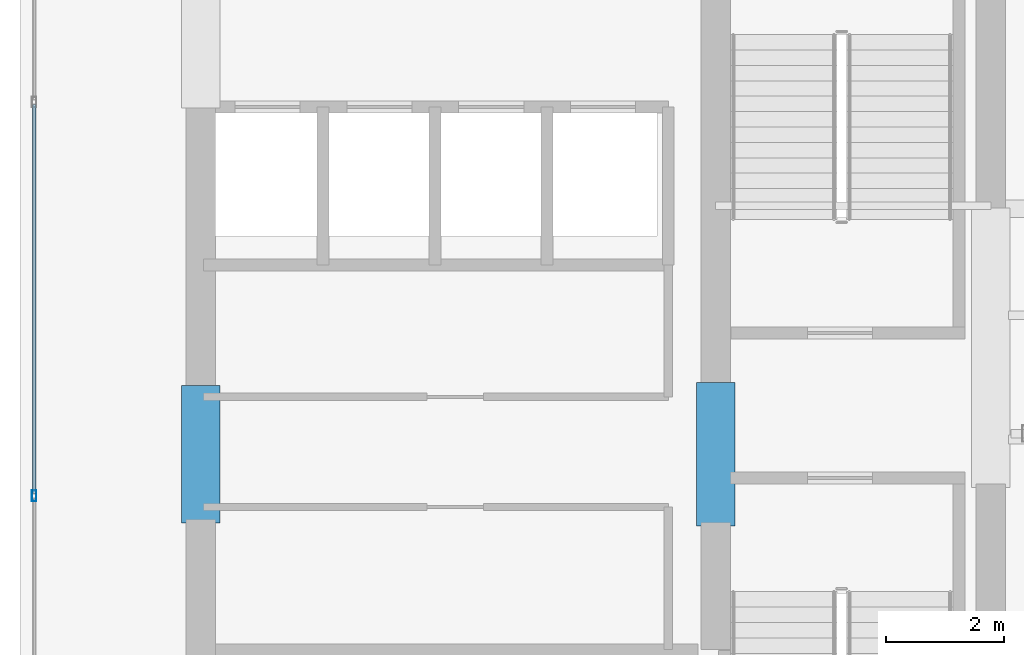
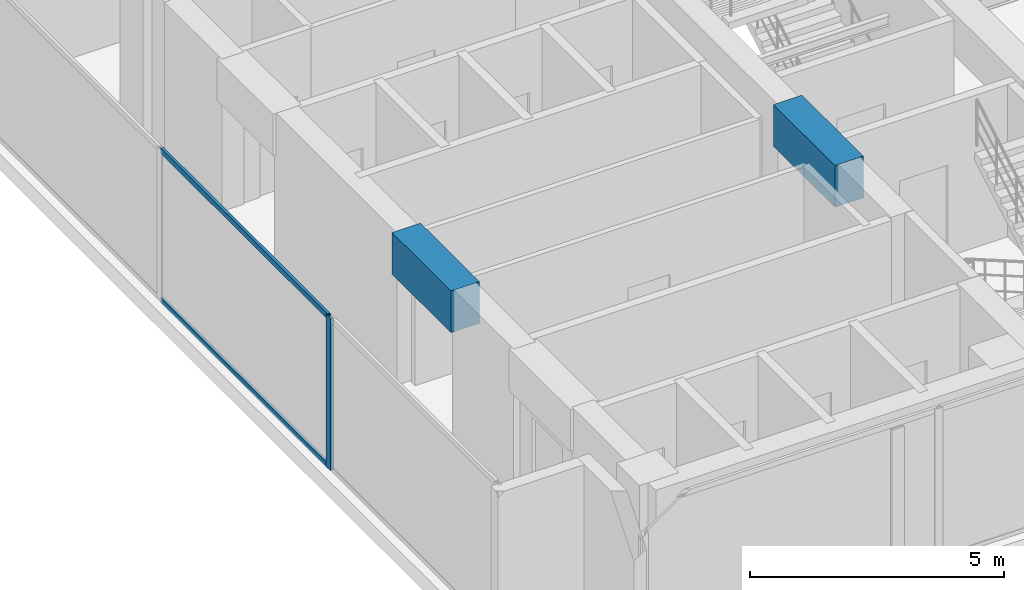
# One storey, part 4 of 31: 3 members, 2 beams, 1 element without a shape of its own.
"""IFC4 building model written with IfcOpenShell, lengths in metres."""

import ifcopenshell
import ifcopenshell.guid

model = None  # the IFC model being written
_history = None  # IfcOwnerHistory: only IFC2X3 demands one
_inside = {}  # id of a spatial element -> (the spatial element, [elements in it])
_under = {}  # id of a project, library or spatial element -> (it, [spatial elements below it])
_declared = {}  # id of a project -> (the project, [libraries it declares])
_typed = {}  # id of a type object -> (the type object, [elements of that type])
_made_of = {}  # id of a material, layer set ... -> (it, [elements and type objects made of it])


def new_model(schema):
    """Start an empty IFC model of exactly this schema.

    Asked for "IFC4X3", IfcOpenShell would pick the latest addendum, in which some entities
    have other attributes; the version numbers below select the first issue.
    IFC2X3 requires an IfcOwnerHistory on every rooted entity: one is made here for all.
    """
    global model, _history
    if schema == "IFC4X3":
        model = ifcopenshell.file(schema_version=(4, 3, 0, 0))
    else:
        model = ifcopenshell.file(schema=schema)
    _inside.clear()
    _under.clear()
    _declared.clear()
    _typed.clear()
    _made_of.clear()
    _history = None
    if model.schema == "IFC2X3":
        org = make("IfcOrganization", Name="unknown")
        user = make(
            "IfcPersonAndOrganization",
            ThePerson=make("IfcPerson", FamilyName="unknown"),
            TheOrganization=org,
        )
        app = make(
            "IfcApplication",
            ApplicationDeveloper=org,
            Version="unknown",
            ApplicationFullName="unknown",
            ApplicationIdentifier="unknown",
        )
        _history = make(
            "IfcOwnerHistory",
            OwningUser=user,
            OwningApplication=app,
            ChangeAction="ADDED",
            CreationDate=0,
        )
    return model


def make(cls, **values):
    """One entity of the class cls with the attributes given. An attribute that is None is left unset."""
    return model.create_entity(
        cls, **{name: value for name, value in values.items() if value is not None}
    )


def rooted(cls, **values):
    """An entity with a GlobalId (a new one), such as an element, a storey or a relation."""
    return make(cls, GlobalId=ifcopenshell.guid.new(), OwnerHistory=_history, **values)


def si_unit(unit_type, name, prefix=None):
    """IfcSIUnit, for example si_unit("LENGTHUNIT", "METRE", prefix="MILLI")."""
    return make("IfcSIUnit", UnitType=unit_type, Prefix=prefix, Name=name)


def assignment(units):
    """IfcUnitAssignment: the units of a project."""
    return None if units is None else make("IfcUnitAssignment", Units=units)


def point(xyz):
    """IfcCartesianPoint."""
    return None if xyz is None else make("IfcCartesianPoint", Coordinates=xyz)


def direction(xyz):
    """IfcDirection."""
    return None if xyz is None else make("IfcDirection", DirectionRatios=xyz)


def frame(location, z_axis=None, x_axis=None):
    """IfcAxis2Placement3D, a coordinate frame: its origin and axes. An axis left out is left unset."""
    return make(
        "IfcAxis2Placement3D",
        Location=point(location),
        Axis=direction(z_axis),
        RefDirection=direction(x_axis),
    )


def frame_2d(location, x_axis=None):
    """IfcAxis2Placement2D, a coordinate frame in the plane: its origin and x axis."""
    return make(
        "IfcAxis2Placement2D", Location=point(location), RefDirection=direction(x_axis)
    )


def origin():
    """The frame at (0, 0, 0) with its axes left unset."""
    return frame((0.0, 0.0, 0.0))


def origin_with_axes():
    """The frame at (0, 0, 0) with the z axis (0, 0, 1) and the x axis (1, 0, 0) written out."""
    return frame((0.0, 0.0, 0.0), z_axis=(0.0, 0.0, 1.0), x_axis=(1.0, 0.0, 0.0))


def origin_2d():
    """The frame at (0, 0) in the plane with its x axis left unset."""
    return frame_2d((0.0, 0.0))


def place(relative_to, where):
    """IfcLocalPlacement: puts the frame where relative to a parent placement (None: the world)."""
    return make(
        "IfcLocalPlacement", PlacementRelTo=relative_to, RelativePlacement=where
    )


def context(
    kind, dimensions, precision=None, world=None, true_north=None, identifier=None
):
    """IfcGeometricRepresentationContext, for example the 3D "Model" context."""
    return make(
        "IfcGeometricRepresentationContext",
        ContextIdentifier=identifier,
        ContextType=kind,
        CoordinateSpaceDimension=dimensions,
        Precision=precision,
        WorldCoordinateSystem=world,
        TrueNorth=true_north,
    )


def subcontext(parent, identifier, kind, view, scale=None):
    """IfcGeometricRepresentationSubContext, for example "Body" below "Model"."""
    return make(
        "IfcGeometricRepresentationSubContext",
        ContextIdentifier=identifier,
        ContextType=kind,
        ParentContext=parent,
        TargetScale=scale,
        TargetView=view,
    )


def project(units=None, contexts=None):
    """IfcProject with its units and contexts."""
    return rooted(
        "IfcProject",
        Name="project",
        RepresentationContexts=contexts,
        UnitsInContext=assignment(units),
    )


def spatial(cls, under=None, at=None, **own):
    """A site, building, storey or space (cls), placed at a placement, below another one or the project."""
    s = rooted(cls, ObjectPlacement=at, **own)
    if under is not None:
        _under.setdefault(under.id(), (under, []))[1].append(s)
    return s


def profile(cls, at=None, kind="AREA", **sizes):
    """A parametric profile (cls). Its sizes go by their IFC names, for example OverallWidth=200.0."""
    return make(cls, ProfileType=kind, Position=at, **sizes)


def rectangle(**sizes):
    """IfcRectangleProfileDef."""
    return profile("IfcRectangleProfileDef", **sizes)


def hollow_rectangle(**sizes):
    """IfcRectangleHollowProfileDef."""
    return profile("IfcRectangleHollowProfileDef", **sizes)


def extrude(swept, where, along, depth):
    """IfcExtrudedAreaSolid: the profile swept, set in the frame where, extruded along a direction by depth."""
    return make(
        "IfcExtrudedAreaSolid",
        SweptArea=swept,
        Position=where,
        ExtrudedDirection=direction(along),
        Depth=depth,
    )


def shape(context_of_items, identifier, shape_type, items):
    """IfcShapeRepresentation: the items that make up one representation, for example the "Body"."""
    return make(
        "IfcShapeRepresentation",
        ContextOfItems=context_of_items,
        RepresentationIdentifier=identifier,
        RepresentationType=shape_type,
        Items=items,
    )


def source(mapping_origin, context_of_items, identifier, shape_type, items):
    """IfcRepresentationMap: a shape defined once, which mapped items show again and again."""
    return make(
        "IfcRepresentationMap",
        MappingOrigin=mapping_origin,
        MappedRepresentation=shape(context_of_items, identifier, shape_type, items),
    )


def transform(
    local_origin,
    x_axis=None,
    y_axis=None,
    z_axis=None,
    scale=None,
    scale2=None,
    scale3=None,
    uniform=True,
):
    """IfcCartesianTransformationOperator3D, or its non-uniform kind. x_axis, y_axis, z_axis: its Axis1, 2, 3."""
    if uniform:
        return make(
            "IfcCartesianTransformationOperator3D",
            Axis1=direction(x_axis),
            Axis2=direction(y_axis),
            LocalOrigin=point(local_origin),
            Scale=scale,
            Axis3=direction(z_axis),
        )
    return make(
        "IfcCartesianTransformationOperator3DnonUniform",
        Axis1=direction(x_axis),
        Axis2=direction(y_axis),
        LocalOrigin=point(local_origin),
        Scale=scale,
        Axis3=direction(z_axis),
        Scale2=scale2,
        Scale3=scale3,
    )


def mapped(mapping_source, mapping_target):
    """IfcMappedItem: shows the shape of a source again, moved by a transform."""
    return make(
        "IfcMappedItem", MappingSource=mapping_source, MappingTarget=mapping_target
    )


def material(Name=None, Category=None):
    """IfcMaterial."""
    return make("IfcMaterial", Name=Name, Category=Category)


def layer(
    of_material, thickness, ventilated=None, Name=None, Category=None, Priority=None
):
    """IfcMaterialLayer: one layer of a wall or slab, of a material (None: an air gap)."""
    return make(
        "IfcMaterialLayer",
        Material=of_material,
        LayerThickness=thickness,
        IsVentilated=ventilated,
        Name=Name,
        Category=Category,
        Priority=Priority,
    )


def layer_set(layers, Name=None):
    """IfcMaterialLayerSet."""
    return make("IfcMaterialLayerSet", MaterialLayers=layers, LayerSetName=Name)


def material_profile(
    of_material, cross_section, Name=None, Category=None, Priority=None
):
    """IfcMaterialProfile: a cross section and its material."""
    return make(
        "IfcMaterialProfile",
        Name=Name,
        Material=of_material,
        Profile=cross_section,
        Priority=Priority,
        Category=Category,
    )


def profile_set(profiles, Name=None, composite=None):
    """IfcMaterialProfileSet."""
    return make(
        "IfcMaterialProfileSet",
        Name=Name,
        MaterialProfiles=profiles,
        CompositeProfile=composite,
    )


def made_of(thing, what):
    """Note that an element or type object is made of a material, layer set ...; save() writes the relation."""
    if what is not None:
        _made_of.setdefault(what.id(), (what, []))[1].append(thing)
    return thing


def type_object(cls, material=None, **own):
    """A type object (cls), such as IfcWallType, which elements share."""
    return made_of(rooted(cls, **own), material)


def element(
    cls,
    number,
    at=None,
    inside=None,
    cuts=None,
    type_object=None,
    material=None,
    context=None,
    identifier="Body",
    shape_type=None,
    held_by="IfcProductDefinitionShape",
    body=None,
    shapes=None,
    **own,
):
    """One element of the class cls, such as IfcWall. Its Tag is "e" and its number.

    at: its placement. inside: the storey or other place that contains it. cuts: it is an
    opening in that element (IfcRelVoidsElement). A single representation is given by context,
    identifier, shape_type and body (its items); several are given by shapes. held_by: the class
    of the entity that holds the representations. save() writes the other relations.
    """
    e = rooted(cls, Tag="e%d" % number, ObjectPlacement=at, **own)
    if body is not None:
        shapes = [shape(context, identifier, shape_type, body)]
    if shapes is not None:
        e.Representation = make(held_by, Representations=shapes)
    if inside is not None:
        _inside.setdefault(inside.id(), (inside, []))[1].append(e)
    if cuts is not None:
        rooted(
            "IfcRelVoidsElement", RelatingBuildingElement=cuts, RelatedOpeningElement=e
        )
    if type_object is not None:
        _typed.setdefault(type_object.id(), (type_object, []))[1].append(e)
    return made_of(e, material)


def aggregate(whole, parts):
    """IfcRelAggregates: a whole, such as a stair, and the parts it consists of."""
    return rooted("IfcRelAggregates", RelatingObject=whole, RelatedObjects=parts)


def save(model, path):
    """Write the relations noted so far, then the file.

    IfcRelAggregates (storeys below a building ...), IfcRelContainedInSpatialStructure (elements
    in a storey), IfcRelDefinesByType, IfcRelAssociatesMaterial and IfcRelDeclares: one each for
    every whole, place, type object, material and project.
    """
    for whole, parts in _under.values():
        aggregate(whole, parts)
    for where, things in _inside.values():
        rooted(
            "IfcRelContainedInSpatialStructure",
            RelatedElements=things,
            RelatingStructure=where,
        )
    for kind, things in _typed.values():
        rooted("IfcRelDefinesByType", RelatedObjects=things, RelatingType=kind)
    for what, things in _made_of.values():
        rooted("IfcRelAssociatesMaterial", RelatedObjects=things, RelatingMaterial=what)
    for by, libraries in _declared.values():
        rooted("IfcRelDeclares", RelatingContext=by, RelatedDefinitions=libraries)
    model.write(path)


model = new_model("IFC4")

# Units and contexts
model_context = context("Model", 3, precision=1e-05, world=origin(), true_north=direction((0.0, 1.0)))
body_context = subcontext(model_context, "Body", "Model", "MODEL_VIEW")
ifc_project = project(units=[si_unit("LENGTHUNIT", "METRE"), si_unit("AREAUNIT", "SQUARE_METRE"), si_unit("VOLUMEUNIT", "CUBIC_METRE"), si_unit("PLANEANGLEUNIT", "RADIAN"), si_unit("MASSUNIT", "GRAM", prefix="KILO")], contexts=[model_context])

# Site, building, storey
site_placement = place(None, origin())
site = spatial("IfcSite", under=ifc_project, at=site_placement, CompositionType="ELEMENT")
building_placement = place(site_placement, origin())
building = spatial("IfcBuilding", under=site, at=building_placement, Name="Kolvaren Waterfront Exchange", CompositionType="ELEMENT")
storey_placement = place(building_placement, frame((0.0, 0.0, 344.199951171875)))
storey = spatial("IfcBuildingStorey", under=building, at=storey_placement, Name="L88", CompositionType="ELEMENT", Elevation=344.199951171875)

# Beams
ifc_material_1 = material(Name="Concrete C60/75", Category="concrete")
ifc_material_profile_1 = material_profile(ifc_material_1, rectangle(XDim=0.64990234375, YDim=1.0, at=origin_2d()), Name="RC-CB-1000x650")
ifc_profile_set_1 = profile_set([ifc_material_profile_1], Name="Concrete C60/75")
beam_type = type_object("IfcBeamType", Name="STR-CB-1000", PredefinedType="SPANDREL", material=ifc_profile_set_1)
beam_1_placement = place(storey_placement, frame((7.449951171875, 12.090087890625, 3.16015625), z_axis=(0.0, 1.0, 0.0), x_axis=(-1.0, 0.0, 0.0)))
element("IfcBeam", 1, at=beam_1_placement, inside=storey, type_object=beam_type, Name="L88 core coupling beam 4", PredefinedType="SPANDREL", context=body_context, shape_type="SweptSolid", body=[
    extrude(rectangle(XDim=0.64990234375, YDim=1.0, at=origin_2d()), origin(), (0.0, 0.0, 1.0), 2.31982421875),
])
beam_2_placement = place(storey_placement, frame((16.14990234375, 12.0400390625, 3.16015625), z_axis=(0.0, 1.0, 0.0), x_axis=(-1.0, 0.0, 0.0)))
element("IfcBeam", 2, at=beam_2_placement, inside=storey, type_object=beam_type, Name="L88 core coupling beam 6", PredefinedType="SPANDREL", context=body_context, shape_type="SweptSolid", body=[
    extrude(rectangle(XDim=0.64990234375, YDim=1.0, at=origin_2d()), origin(), (0.0, 0.0, 1.0), 2.419921875),
])

# Curtain wall, members
ifc_material_2 = material(Name="Anodised bronze aluminium 6063-T6", Category="aluminium")
ifc_layer = layer(ifc_material_2, 0.219970703125, Name="Anodised bronze aluminium 6063-T6")
ifc_layer_set = layer_set([ifc_layer], Name="Anodised bronze aluminium 6063-T6")
curtain_wall_type = type_object("IfcCurtainWallType", Name="ARC-CW-SYS5", PredefinedType="USERDEFINED", material=ifc_layer_set)
curtain_wall_placement = place(storey_placement, origin())
curtain_wall = element("IfcCurtainWall", 3, at=curtain_wall_placement, inside=storey, type_object=curtain_wall_type, Name="L88 stick curtain wall CW5 (CW-L88-W)", ObjectType="STICK CURTAIN WALL", PredefinedType="USERDEFINED")
ifc_material_profile_2 = material_profile(ifc_material_2, hollow_rectangle(XDim=0.074951171875, YDim=0.179931640625, WallThickness=0.00439453125, at=origin_2d()), Name="ALU-MUL-180x75x4.5")
ifc_profile_set_2 = profile_set([ifc_material_profile_2], Name="Anodised bronze aluminium 6063-T6")
member_type_1 = type_object("IfcMemberType", Name="ARC-CWM-180", PredefinedType="MULLION", material=ifc_profile_set_2)
shared_shape_1 = source(origin_with_axes(), body_context, "Body", "SweptSolid", [
    extrude(hollow_rectangle(XDim=0.074951171875, YDim=0.179931640625, WallThickness=0.00439453125, at=origin_2d()), origin(), (0.0, 0.0, 1.0), 3.66015625),
])
member_1_placement = place(storey_placement, frame((4.639892578125, 12.550048828125, 0.0), z_axis=(0.0, 0.0, 1.0), x_axis=(-1.0, 0.0, 0.0)))
member_1 = element("IfcMember", 4, at=member_1_placement, type_object=member_type_1, Name="CW5 mullion 2", PredefinedType="MULLION", context=body_context, shape_type="MappedRepresentation", body=[
    mapped(shared_shape_1, transform((0.0, 0.0, 0.0), x_axis=(1.0, 0.0, 0.0), y_axis=(0.0, 1.0, 0.0), z_axis=(0.0, 0.0, 1.0), scale=1.0)),
])
ifc_material_profile_3 = material_profile(ifc_material_2, hollow_rectangle(XDim=0.06494140625, YDim=0.1298828125, WallThickness=0.00390625, at=origin_2d()), Name="ALU-TRN-130x65x4")
ifc_profile_set_3 = profile_set([ifc_material_profile_3], Name="Anodised bronze aluminium 6063-T6")
member_type_2 = type_object("IfcMemberType", Name="ARC-CWT-130", PredefinedType="USERDEFINED", material=ifc_profile_set_3)
shared_shape_2 = source(origin_with_axes(), body_context, "Body", "SweptSolid", [
    extrude(hollow_rectangle(XDim=0.06494140625, YDim=0.1298828125, WallThickness=0.00390625, at=origin_2d()), origin(), (0.0, 0.0, 1.0), 6.5751953125),
])
member_2_placement = place(storey_placement, frame((4.639892578125, 12.58740234375, 0.032470703125), z_axis=(0.0, 1.0, 0.0), x_axis=(-1.0, 0.0, 0.0)))
member_2 = element("IfcMember", 5, at=member_2_placement, type_object=member_type_2, Name="CW5 transom 2.1", ObjectType="TRANSOM", PredefinedType="USERDEFINED", context=body_context, shape_type="MappedRepresentation", body=[
    mapped(shared_shape_2, transform((0.0, 0.0, 0.0), x_axis=(1.0, 0.0, 0.0), y_axis=(0.0, 1.0, 0.0), z_axis=(0.0, 0.0, 1.0), scale=1.0)),
])
member_3_placement = place(storey_placement, frame((4.639892578125, 12.58740234375, 3.62744140625), z_axis=(0.0, 1.0, 0.0), x_axis=(-1.0, 0.0, 0.0)))
member_3 = element("IfcMember", 6, at=member_3_placement, type_object=member_type_2, Name="CW5 transom 2.2", ObjectType="TRANSOM", PredefinedType="USERDEFINED", context=body_context, shape_type="MappedRepresentation", body=[
    mapped(shared_shape_2, transform((0.0, 0.0, 0.0), x_axis=(1.0, 0.0, 0.0), y_axis=(0.0, 1.0, 0.0), z_axis=(0.0, 0.0, 1.0), scale=1.0)),
])
aggregate(curtain_wall, [member_1, member_2, member_3])

save(model, "model.ifc")
